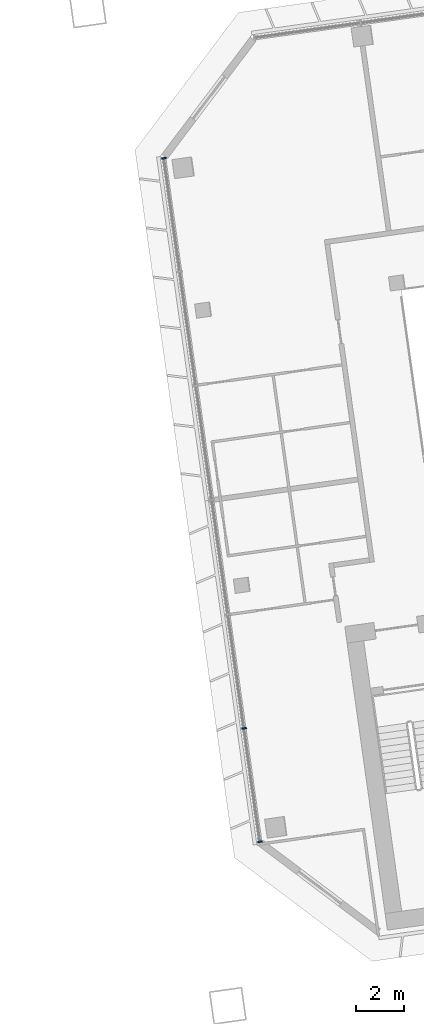
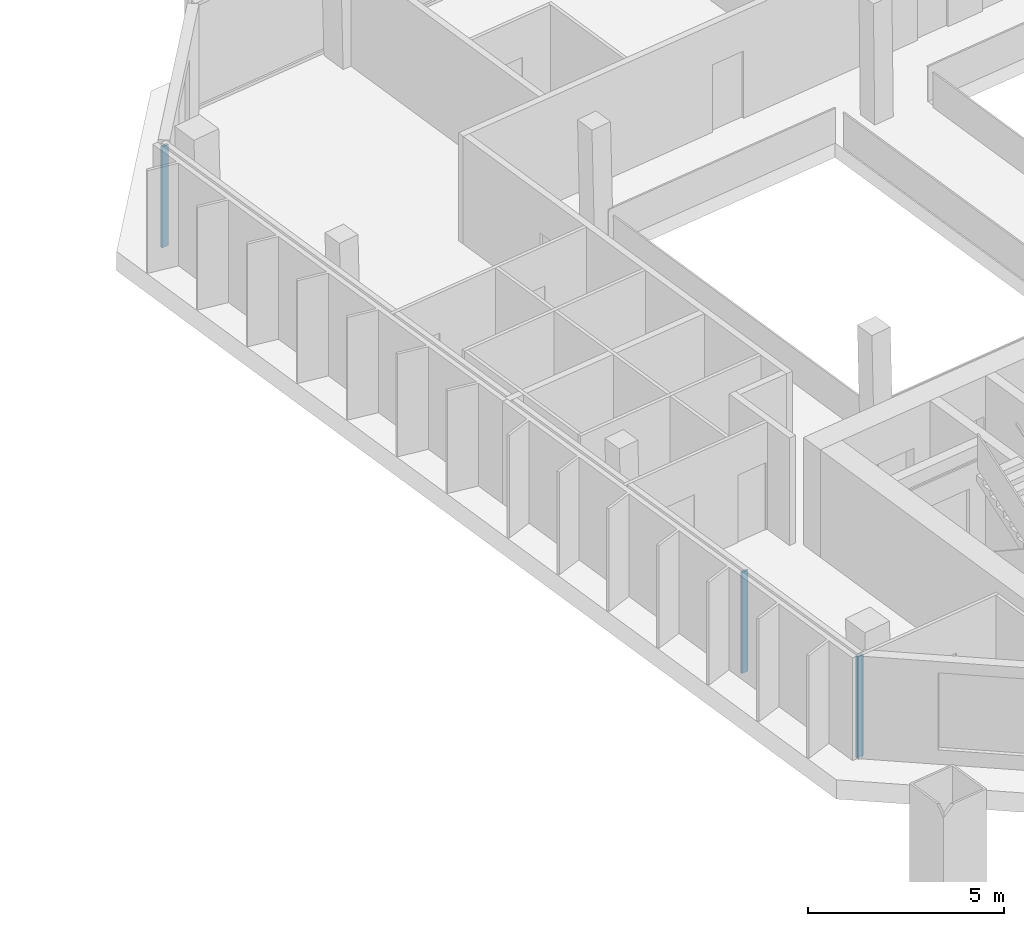
# One storey, part 9 of 28: 3 members, 1 element without a shape of its own.
"""IFC4 building model written with IfcOpenShell, lengths in metres."""

from ifc_helpers import new_model, si_unit, direction, frame, origin, origin_2d, place, context, subcontext, project, spatial, rectangle, extrude, material, material_profile, profile_set, type_object, element, aggregate, save


model = new_model("IFC4")

# Units and contexts
model_context = context("Model", 3, precision=1e-05, world=origin(), true_north=direction((0.0, 1.0)))
body_context = subcontext(model_context, "Body", "Model", "MODEL_VIEW")
ifc_project = project(units=[si_unit("LENGTHUNIT", "METRE"), si_unit("AREAUNIT", "SQUARE_METRE"), si_unit("VOLUMEUNIT", "CUBIC_METRE"), si_unit("PLANEANGLEUNIT", "RADIAN"), si_unit("MASSUNIT", "GRAM", prefix="KILO")], contexts=[model_context])

# Site, building, storey
site_placement = place(None, origin())
site = spatial("IfcSite", under=ifc_project, at=site_placement, CompositionType="ELEMENT")
building_placement = place(site_placement, origin())
building = spatial("IfcBuilding", under=site, at=building_placement, Name="Mirante Cascada Hotel Towers", CompositionType="ELEMENT")
storey_placement = place(building_placement, frame((0.0, 0.0, 165.0)))
storey = spatial("IfcBuildingStorey", under=building, at=storey_placement, Name="L38", CompositionType="ELEMENT", Elevation=165.0)

# Curtain wall, members
ifc_material_1 = material(Name="Aluminium mullion and transom frame with clear laminated glass", Category="aluminium")
curtain_wall_type = type_object("IfcCurtainWallType", Name="End ribbon curtain wall ECW2", PredefinedType="NOTDEFINED", material=ifc_material_1)
curtain_wall_placement = place(storey_placement, origin())
curtain_wall = element("IfcCurtainWall", 1, at=curtain_wall_placement, inside=storey, type_object=curtain_wall_type, Name="Inner end wall T2 L38", PredefinedType="NOTDEFINED")
ifc_material_2 = material(Name="Anodised aluminium extrusion", Category="aluminium")
ifc_material_profile = material_profile(ifc_material_2, rectangle(XDim=0.2, YDim=0.065, at=origin_2d()), Name="ECW2 MULLION 65x200")
ifc_profile_set = profile_set([ifc_material_profile], Name="Anodised aluminium extrusion")
member_type = type_object("IfcMemberType", Name="ECW2 mullion 65x200", PredefinedType="MULLION", material=ifc_profile_set)
member_1_placement = place(storey_placement, frame((27.9428, 12.2578, 0.1), z_axis=(0.0, 0.0, 1.0), x_axis=(0.9902681, 0.1391731, 0.0)))
member_1 = element("IfcMember", 2, at=member_1_placement, type_object=member_type, Name="ECW2 mullion 1", PredefinedType="MULLION", context=body_context, shape_type="SweptSolid", body=[
    extrude(rectangle(XDim=0.2, YDim=0.065, at=origin_2d()), origin(), (0.0, 0.0, 1.0), 3.15),
])
member_2_placement = place(storey_placement, frame((31.2873, -11.5389, 0.1), z_axis=(0.0, 0.0, 1.0), x_axis=(0.9902681, 0.1391731, 0.0)))
member_2 = element("IfcMember", 3, at=member_2_placement, type_object=member_type, Name="ECW2 mullion 6", PredefinedType="MULLION", context=body_context, shape_type="SweptSolid", body=[
    extrude(rectangle(XDim=0.2, YDim=0.065, at=origin_2d()), origin(), (0.0, 0.0, 1.0), 3.15),
])
member_3_placement = place(storey_placement, frame((31.9525, -16.2725, 0.1), z_axis=(0.0, 0.0, 1.0), x_axis=(0.9902681, 0.1391731, 0.0)))
member_3 = element("IfcMember", 4, at=member_3_placement, type_object=member_type, Name="ECW2 mullion 7", PredefinedType="MULLION", context=body_context, shape_type="SweptSolid", body=[
    extrude(rectangle(XDim=0.2, YDim=0.065, at=origin_2d()), origin(), (0.0, 0.0, 1.0), 3.15),
])
aggregate(curtain_wall, [member_1, member_2, member_3])

save(model, "model.ifc")
